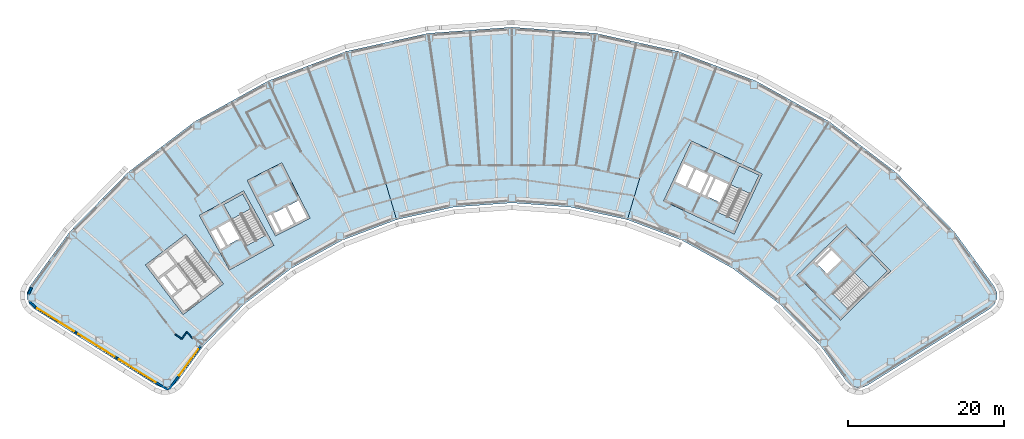
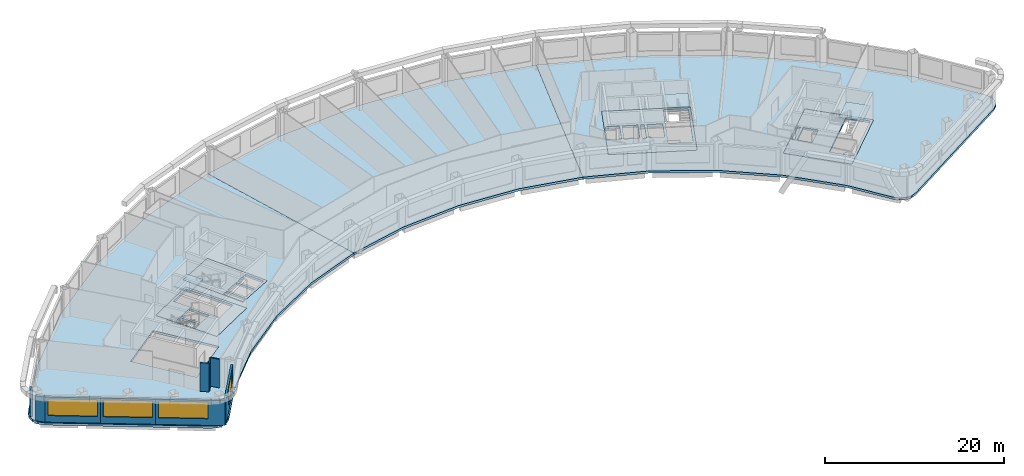
# One storey, part 4 of 14: 10 slabs, 9 walls, 4 windows, 4 openings, 3 elements without a shape of their own.
"""IFC4 building model written with IfcOpenShell, lengths in metres."""

import ifcopenshell
import ifcopenshell.guid

model = None  # the IFC model being written
_history = None  # IfcOwnerHistory: only IFC2X3 demands one
_inside = {}  # id of a spatial element -> (the spatial element, [elements in it])
_under = {}  # id of a project, library or spatial element -> (it, [spatial elements below it])
_declared = {}  # id of a project -> (the project, [libraries it declares])
_typed = {}  # id of a type object -> (the type object, [elements of that type])
_made_of = {}  # id of a material, layer set ... -> (it, [elements and type objects made of it])


def new_model(schema):
    """Start an empty IFC model of exactly this schema.

    Asked for "IFC4X3", IfcOpenShell would pick the latest addendum, in which some entities
    have other attributes; the version numbers below select the first issue.
    IFC2X3 requires an IfcOwnerHistory on every rooted entity: one is made here for all.
    """
    global model, _history
    if schema == "IFC4X3":
        model = ifcopenshell.file(schema_version=(4, 3, 0, 0))
    else:
        model = ifcopenshell.file(schema=schema)
    _inside.clear()
    _under.clear()
    _declared.clear()
    _typed.clear()
    _made_of.clear()
    _history = None
    if model.schema == "IFC2X3":
        org = make("IfcOrganization", Name="unknown")
        user = make(
            "IfcPersonAndOrganization",
            ThePerson=make("IfcPerson", FamilyName="unknown"),
            TheOrganization=org,
        )
        app = make(
            "IfcApplication",
            ApplicationDeveloper=org,
            Version="unknown",
            ApplicationFullName="unknown",
            ApplicationIdentifier="unknown",
        )
        _history = make(
            "IfcOwnerHistory",
            OwningUser=user,
            OwningApplication=app,
            ChangeAction="ADDED",
            CreationDate=0,
        )
    return model


def make(cls, **values):
    """One entity of the class cls with the attributes given. An attribute that is None is left unset."""
    return model.create_entity(
        cls, **{name: value for name, value in values.items() if value is not None}
    )


def rooted(cls, **values):
    """An entity with a GlobalId (a new one), such as an element, a storey or a relation."""
    return make(cls, GlobalId=ifcopenshell.guid.new(), OwnerHistory=_history, **values)


def si_unit(unit_type, name, prefix=None):
    """IfcSIUnit, for example si_unit("LENGTHUNIT", "METRE", prefix="MILLI")."""
    return make("IfcSIUnit", UnitType=unit_type, Prefix=prefix, Name=name)


def assignment(units):
    """IfcUnitAssignment: the units of a project."""
    return None if units is None else make("IfcUnitAssignment", Units=units)


def point(xyz):
    """IfcCartesianPoint."""
    return None if xyz is None else make("IfcCartesianPoint", Coordinates=xyz)


def direction(xyz):
    """IfcDirection."""
    return None if xyz is None else make("IfcDirection", DirectionRatios=xyz)


def frame(location, z_axis=None, x_axis=None):
    """IfcAxis2Placement3D, a coordinate frame: its origin and axes. An axis left out is left unset."""
    return make(
        "IfcAxis2Placement3D",
        Location=point(location),
        Axis=direction(z_axis),
        RefDirection=direction(x_axis),
    )


def frame_2d(location, x_axis=None):
    """IfcAxis2Placement2D, a coordinate frame in the plane: its origin and x axis."""
    return make(
        "IfcAxis2Placement2D", Location=point(location), RefDirection=direction(x_axis)
    )


def origin():
    """The frame at (0, 0, 0) with its axes left unset."""
    return frame((0.0, 0.0, 0.0))


def place(relative_to, where):
    """IfcLocalPlacement: puts the frame where relative to a parent placement (None: the world)."""
    return make(
        "IfcLocalPlacement", PlacementRelTo=relative_to, RelativePlacement=where
    )


def context(
    kind, dimensions, precision=None, world=None, true_north=None, identifier=None
):
    """IfcGeometricRepresentationContext, for example the 3D "Model" context."""
    return make(
        "IfcGeometricRepresentationContext",
        ContextIdentifier=identifier,
        ContextType=kind,
        CoordinateSpaceDimension=dimensions,
        Precision=precision,
        WorldCoordinateSystem=world,
        TrueNorth=true_north,
    )


def subcontext(parent, identifier, kind, view, scale=None):
    """IfcGeometricRepresentationSubContext, for example "Body" below "Model"."""
    return make(
        "IfcGeometricRepresentationSubContext",
        ContextIdentifier=identifier,
        ContextType=kind,
        ParentContext=parent,
        TargetScale=scale,
        TargetView=view,
    )


def project(units=None, contexts=None):
    """IfcProject with its units and contexts."""
    return rooted(
        "IfcProject",
        Name="project",
        RepresentationContexts=contexts,
        UnitsInContext=assignment(units),
    )


def spatial(cls, under=None, at=None, **own):
    """A site, building, storey or space (cls), placed at a placement, below another one or the project."""
    s = rooted(cls, ObjectPlacement=at, **own)
    if under is not None:
        _under.setdefault(under.id(), (under, []))[1].append(s)
    return s


def polyline(points):
    """IfcPolyline through the points."""
    return make("IfcPolyline", Points=[point(p) for p in points])


def profile(cls, at=None, kind="AREA", **sizes):
    """A parametric profile (cls). Its sizes go by their IFC names, for example OverallWidth=200.0."""
    return make(cls, ProfileType=kind, Position=at, **sizes)


def rectangle(**sizes):
    """IfcRectangleProfileDef."""
    return profile("IfcRectangleProfileDef", **sizes)


def outline(outer, holes=None, kind="AREA"):
    """IfcArbitraryClosedProfileDef: a profile drawn as a closed curve; with holes, ...WithVoids."""
    if holes is None:
        return make("IfcArbitraryClosedProfileDef", ProfileType=kind, OuterCurve=outer)
    return make(
        "IfcArbitraryProfileDefWithVoids",
        ProfileType=kind,
        OuterCurve=outer,
        InnerCurves=holes,
    )


def extrude(swept, where, along, depth):
    """IfcExtrudedAreaSolid: the profile swept, set in the frame where, extruded along a direction by depth."""
    return make(
        "IfcExtrudedAreaSolid",
        SweptArea=swept,
        Position=where,
        ExtrudedDirection=direction(along),
        Depth=depth,
    )


def shape(context_of_items, identifier, shape_type, items):
    """IfcShapeRepresentation: the items that make up one representation, for example the "Body"."""
    return make(
        "IfcShapeRepresentation",
        ContextOfItems=context_of_items,
        RepresentationIdentifier=identifier,
        RepresentationType=shape_type,
        Items=items,
    )


def material(Name=None, Category=None):
    """IfcMaterial."""
    return make("IfcMaterial", Name=Name, Category=Category)


def layer(
    of_material, thickness, ventilated=None, Name=None, Category=None, Priority=None
):
    """IfcMaterialLayer: one layer of a wall or slab, of a material (None: an air gap)."""
    return make(
        "IfcMaterialLayer",
        Material=of_material,
        LayerThickness=thickness,
        IsVentilated=ventilated,
        Name=Name,
        Category=Category,
        Priority=Priority,
    )


def layer_set(layers, Name=None):
    """IfcMaterialLayerSet."""
    return make("IfcMaterialLayerSet", MaterialLayers=layers, LayerSetName=Name)


def made_of(thing, what):
    """Note that an element or type object is made of a material, layer set ...; save() writes the relation."""
    if what is not None:
        _made_of.setdefault(what.id(), (what, []))[1].append(thing)
    return thing


def type_object(cls, material=None, **own):
    """A type object (cls), such as IfcWallType, which elements share."""
    return made_of(rooted(cls, **own), material)


def element(
    cls,
    number,
    at=None,
    inside=None,
    cuts=None,
    type_object=None,
    material=None,
    context=None,
    identifier="Body",
    shape_type=None,
    held_by="IfcProductDefinitionShape",
    body=None,
    shapes=None,
    **own,
):
    """One element of the class cls, such as IfcWall. Its Tag is "e" and its number.

    at: its placement. inside: the storey or other place that contains it. cuts: it is an
    opening in that element (IfcRelVoidsElement). A single representation is given by context,
    identifier, shape_type and body (its items); several are given by shapes. held_by: the class
    of the entity that holds the representations. save() writes the other relations.
    """
    e = rooted(cls, Tag="e%d" % number, ObjectPlacement=at, **own)
    if body is not None:
        shapes = [shape(context, identifier, shape_type, body)]
    if shapes is not None:
        e.Representation = make(held_by, Representations=shapes)
    if inside is not None:
        _inside.setdefault(inside.id(), (inside, []))[1].append(e)
    if cuts is not None:
        rooted(
            "IfcRelVoidsElement", RelatingBuildingElement=cuts, RelatedOpeningElement=e
        )
    if type_object is not None:
        _typed.setdefault(type_object.id(), (type_object, []))[1].append(e)
    return made_of(e, material)


def fill(opening, filler):
    """IfcRelFillsElement: the door or window that sits in an opening."""
    return rooted(
        "IfcRelFillsElement",
        RelatingOpeningElement=opening,
        RelatedBuildingElement=filler,
    )


def aggregate(whole, parts):
    """IfcRelAggregates: a whole, such as a stair, and the parts it consists of."""
    return rooted("IfcRelAggregates", RelatingObject=whole, RelatedObjects=parts)


def save(model, path):
    """Write the relations noted so far, then the file.

    IfcRelAggregates (storeys below a building ...), IfcRelContainedInSpatialStructure (elements
    in a storey), IfcRelDefinesByType, IfcRelAssociatesMaterial and IfcRelDeclares: one each for
    every whole, place, type object, material and project.
    """
    for whole, parts in _under.values():
        aggregate(whole, parts)
    for where, things in _inside.values():
        rooted(
            "IfcRelContainedInSpatialStructure",
            RelatedElements=things,
            RelatingStructure=where,
        )
    for kind, things in _typed.values():
        rooted("IfcRelDefinesByType", RelatedObjects=things, RelatingType=kind)
    for what, things in _made_of.values():
        rooted("IfcRelAssociatesMaterial", RelatedObjects=things, RelatingMaterial=what)
    for by, libraries in _declared.values():
        rooted("IfcRelDeclares", RelatingContext=by, RelatedDefinitions=libraries)
    model.write(path)


model = new_model("IFC4")

# Units and contexts
model_context = context("Model", 3, precision=1e-05, world=origin(), true_north=direction((0.0, 1.0)))
body_context = subcontext(model_context, "Body", "Model", "MODEL_VIEW")
ifc_project = project(units=[si_unit("LENGTHUNIT", "METRE"), si_unit("AREAUNIT", "SQUARE_METRE"), si_unit("VOLUMEUNIT", "CUBIC_METRE"), si_unit("PLANEANGLEUNIT", "RADIAN"), si_unit("MASSUNIT", "GRAM", prefix="KILO")], contexts=[model_context])

# Site, building, storey
site_placement = place(None, origin())
site = spatial("IfcSite", under=ifc_project, at=site_placement, CompositionType="ELEMENT")
building_placement = place(site_placement, origin())
building = spatial("IfcBuilding", under=site, at=building_placement, Name="Tuul Gate Civic Tower", CompositionType="ELEMENT")
storey_placement = place(building_placement, frame((0.0, 0.0, 213.699951171875)))
storey = spatial("IfcBuildingStorey", under=building, at=storey_placement, Name="Level 48", CompositionType="ELEMENT", Elevation=213.699951171875)

# Slabs
ifc_material_1 = material(Name="Concrete C40/50", Category="concrete")
ifc_layer_1 = layer(ifc_material_1, 0.300048828125)
ifc_layer_set_1 = layer_set([ifc_layer_1], Name="Concrete C40/50")
slab_type_1 = type_object("IfcSlabType", Name="Core floor slab 300", PredefinedType="FLOOR", material=ifc_layer_set_1)
slab_1_placement = place(storey_placement, frame((0.0, 0.0, -0.300048828125)))
element("IfcSlab", 1, at=slab_1_placement, inside=storey, type_object=slab_type_1, Name="FLOOR SLAB", PredefinedType="FLOOR", context=body_context, shape_type="SweptSolid", body=[
    extrude(outline(polyline([(-24.638916015625, -8.846923828125), (-28.51708984375, -1.849853515625), (-34.2021484375, -5.0009765625), (-30.32421875, -11.998046875), (-24.638916015625, -8.846923828125)]), holes=[polyline([(-29.0185546875, -7.958740234375), (-30.254638671875, -5.728515625), (-31.785400390625, -6.576904296875), (-30.54931640625, -8.80712890625), (-29.0185546875, -7.958740234375)]), polyline([(-30.8115234375, -8.95263671875), (-32.047607421875, -6.72216796875), (-32.8349609375, -7.158447265625), (-31.5986328125, -9.388916015625), (-30.8115234375, -8.95263671875)]), polyline([(-25.702392578125, -7.548828125), (-28.14990234375, -8.905517578125), (-31.08203125, -3.615234375), (-28.63427734375, -2.2587890625), (-25.702392578125, -7.548828125)])]), origin(), (0.0, 0.0, 1.0), 0.300048828125),
])
slab_2_placement = place(storey_placement, frame((0.0, 0.0, -0.300048828125)))
element("IfcSlab", 2, at=slab_2_placement, inside=storey, type_object=slab_type_1, Name="FLOOR SLAB", PredefinedType="FLOOR", context=body_context, shape_type="SweptSolid", body=[
    extrude(outline(polyline([(48.117919921875, -18.43310546875), (54.545166015625, -12.1328125), (48.945068359375, -6.419921875), (42.517822265625, -12.719970703125), (48.117919921875, -18.43310546875)]), holes=[polyline([(46.373779296875, -12.510986328125), (48.19482421875, -10.725830078125), (46.969970703125, -9.47607421875), (45.14892578125, -11.26123046875), (46.373779296875, -12.510986328125)]), polyline([(44.93896484375, -11.046875), (46.760009765625, -9.261962890625), (46.514892578125, -9.011962890625), (44.69384765625, -10.797119140625), (44.93896484375, -11.046875)]), polyline([(49.086181640625, -17.062744140625), (47.12744140625, -15.064208984375), (52.160888671875, -10.130126953125), (54.11962890625, -12.128662109375), (49.086181640625, -17.062744140625)])]), origin(), (0.0, 0.0, 1.0), 0.300048828125),
])
slab_3_placement = place(storey_placement, frame((0.0, 0.0, -0.300048828125)))
element("IfcSlab", 3, at=slab_3_placement, inside=storey, type_object=slab_type_1, Name="FLOOR SLAB", PredefinedType="FLOOR", context=body_context, shape_type="SweptSolid", body=[
    extrude(outline(polyline([(34.465087890625, -7.385986328125), (38.056884765625, 0.31787109375), (28.993896484375, 4.543701171875), (25.40185546875, -3.159912109375), (34.465087890625, -7.385986328125)]), holes=[polyline([(32.60888671875, -3.32080078125), (33.6865234375, -1.009765625), (32.1005859375, -0.27001953125), (31.02294921875, -2.581298828125), (32.60888671875, -3.32080078125)]), polyline([(30.0712890625, -2.137451171875), (31.14892578125, 0.173583984375), (29.562744140625, 0.9130859375), (28.4853515625, -1.39794921875), (30.0712890625, -2.137451171875)]), polyline([(30.751220703125, -2.454345703125), (31.82861328125, -0.143310546875), (31.4208984375, 0.046875), (30.34326171875, -2.264404296875), (30.751220703125, -2.454345703125)]), polyline([(28.21337890625, -1.27099609375), (29.291015625, 1.0400390625), (27.8408203125, 1.71630859375), (26.76318359375, -0.594970703125), (28.21337890625, -1.27099609375)]), polyline([(34.889892578125, -5.7626953125), (32.353759765625, -4.580078125), (35.120849609375, 1.354736328125), (37.6572265625, 0.17236328125), (34.889892578125, -5.7626953125)])]), origin(), (0.0, 0.0, 1.0), 0.300048828125),
])
ifc_material_2 = material(Name="Concrete C40/50", Category="concrete")
ifc_layer_2 = layer(ifc_material_2, 0.300048828125)
ifc_layer_set_2 = layer_set([ifc_layer_2], Name="Concrete C40/50")
slab_type_2 = type_object("IfcSlabType", Name="Core floor slab 300 non-bearing", PredefinedType="FLOOR", material=ifc_layer_set_2)
slab_4_placement = place(storey_placement, frame((0.0, 0.0, -0.300048828125)))
element("IfcSlab", 4, at=slab_4_placement, inside=storey, type_object=slab_type_2, Name="FLOOR SLAB", PredefinedType="FLOOR", context=body_context, shape_type="SweptSolid", body=[
    extrude(outline(polyline([(-19.98095703125, -5.365966796875), (-23.613037109375, 1.761962890625), (-28.068115234375, -0.508056640625), (-24.43603515625, -7.635986328125), (-19.98095703125, -5.365966796875)]), holes=[polyline([(-20.384521484375, -5.23486328125), (-21.47412109375, -3.096435546875), (-22.899658203125, -3.822998046875), (-21.81005859375, -5.961181640625), (-20.384521484375, -5.23486328125)]), polyline([(-22.077392578125, -6.097412109375), (-23.1669921875, -3.958984375), (-24.726318359375, -4.753662109375), (-23.63671875, -6.89208984375), (-22.077392578125, -6.097412109375)]), polyline([(-23.8359375, -7.161865234375), (-24.99365234375, -4.889892578125), (-25.5283203125, -5.162109375), (-24.37060546875, -7.434326171875), (-23.8359375, -7.161865234375)])]), origin(), (0.0, 0.0, 1.0), 0.300048828125),
])

# Stair, slab
ifc_material_3 = material(Name="Concrete C40/50", Category="concrete")
stair_type = type_object("IfcStairType", Name="Exit stair", PredefinedType="HALF_TURN_STAIR", material=ifc_material_3)
stair_1_placement = place(storey_placement, origin())
stair_1 = element("IfcStair", 5, at=stair_1_placement, inside=storey, type_object=stair_type, Name="Level 48 ST-2", PredefinedType="HALF_TURN_STAIR")
ifc_material_4 = material(Name="Concrete C40/50", Category="concrete")
ifc_layer_3 = layer(ifc_material_4, 0.199951171875)
ifc_layer_set_3 = layer_set([ifc_layer_3], Name="Concrete C40/50")
slab_type_3 = type_object("IfcSlabType", Name="Exit stair landing", PredefinedType="LANDING", material=ifc_layer_set_3)
slab_5_placement = place(storey_placement, frame((0.0, 0.0, 1.900146484375)))
slab_5 = element("IfcSlab", 6, at=slab_5_placement, type_object=slab_type_3, Name="ST-2 landing 1", PredefinedType="LANDING", context=body_context, shape_type="SweptSolid", body=[
    extrude(outline(polyline([(-27.5908203125, -4.138427734375), (-30.041015625, -5.49658203125), (-31.084228515625, -3.61474609375), (-28.6337890625, -2.256591796875), (-27.5908203125, -4.138427734375)])), origin(), (0.0, 0.0, 1.0), 0.199951171875),
])
aggregate(stair_1, [slab_5])

stair_2_placement = place(storey_placement, origin())
stair_2 = element("IfcStair", 7, at=stair_2_placement, inside=storey, type_object=stair_type, Name="Level 48 ST-3", PredefinedType="HALF_TURN_STAIR")
slab_6_placement = place(storey_placement, frame((0.0, 0.0, 1.900146484375)))
slab_6 = element("IfcSlab", 8, at=slab_6_placement, type_object=slab_type_3, Name="ST-3 landing 1", PredefinedType="LANDING", context=body_context, shape_type="SweptSolid", body=[
    extrude(outline(polyline([(51.871337890625, -14.3349609375), (49.91015625, -12.334228515625), (52.160888671875, -10.1279296875), (54.1220703125, -12.128662109375), (51.871337890625, -14.3349609375)])), origin(), (0.0, 0.0, 1.0), 0.199951171875),
])
aggregate(stair_2, [slab_6])

stair_3_placement = place(storey_placement, origin())
stair_3 = element("IfcStair", 9, at=stair_3_placement, inside=storey, type_object=stair_type, Name="Level 48 ST-4", PredefinedType="HALF_TURN_STAIR")
slab_7_placement = place(storey_placement, frame((0.0, 0.0, 1.900146484375)))
slab_7 = element("IfcSlab", 10, at=slab_7_placement, type_object=slab_type_3, Name="ST-4 landing 1", PredefinedType="LANDING", context=body_context, shape_type="SweptSolid", body=[
    extrude(outline(polyline([(36.538818359375, -2.230224609375), (33.999755859375, -1.046142578125), (35.1201171875, 1.35693359375), (37.659423828125, 0.173095703125), (36.538818359375, -2.230224609375)])), origin(), (0.0, 0.0, 1.0), 0.199951171875),
])
aggregate(stair_3, [slab_7])

# Slabs
ifc_material_5 = material(Name="Concrete C35/45", Category="concrete")
ifc_layer_4 = layer(ifc_material_5, 0.300048828125)
ifc_layer_set_4 = layer_set([ifc_layer_4], Name="Concrete C35/45")
slab_type_4 = type_object("IfcSlabType", Name="STR-FLOOR-SLAB-300", PredefinedType="FLOOR", material=ifc_layer_set_4)
slab_8_placement = place(storey_placement, frame((0.0, 0.0, -0.300048828125)))
element("IfcSlab", 11, at=slab_8_placement, inside=storey, type_object=slab_type_4, Name="Level 48/slab/W", PredefinedType="FLOOR", context=body_context, shape_type="SweptSolid", body=[
    extrude(outline(polyline([(-15.89404296875, -8.2041015625), (-8.875, -5.549072265625), (-15.30908203125, 16.072998046875), (-25.376953125, 12.264892578125), (-34.7919921875, 7.0458984375), (-43.35595703125, 0.52587890625), (-50.89111328125, -7.160888671875), (-55.971923828125, -14.117919921875), (-56.30810546875, -14.861083984375), (-56.320068359375, -15.677001953125), (-56.006103515625, -16.428955078125), (-55.416015625, -16.992919921875), (-39.68603515625, -26.822998046875), (-38.991943359375, -27.093017578125), (-38.2470703125, -27.090087890625), (-37.554931640625, -26.81494140625), (-37.011962890625, -26.305908203125), (-33.681884765625, -21.748046875), (-28.428955078125, -16.388916015625), (-22.4580078125, -11.842041015625), (-15.89404296875, -8.2041015625)]), holes=[polyline([(-31.10009765625, -13.7890625), (-36.27197265625, -17.72705078125), (-41.117919921875, -11.362060546875), (-35.946044921875, -7.424072265625), (-31.10009765625, -13.7890625)]), polyline([(-24.638916015625, -8.846923828125), (-30.323974609375, -11.998046875), (-34.201904296875, -5.0009765625), (-28.51708984375, -1.85009765625), (-24.638916015625, -8.846923828125)]), polyline([(-24.43603515625, -7.635986328125), (-28.068115234375, -0.508056640625), (-23.613037109375, 1.761962890625), (-19.98095703125, -5.365966796875), (-24.43603515625, -7.635986328125)])]), origin(), (0.0, 0.0, 1.0), 0.300048828125),
])
slab_9_placement = place(storey_placement, frame((0.0, 0.0, -0.300048828125)))
element("IfcSlab", 12, at=slab_9_placement, inside=storey, type_object=slab_type_4, Name="Level 48/slab/M", PredefinedType="FLOOR", context=body_context, shape_type="SweptSolid", body=[
    extrude(outline(polyline([(13.425048828125, -3.93408203125), (20.75390625, -5.549072265625), (27.18798828125, 16.072998046875), (16.676025390625, 18.388916015625), (5.93994140625, 19.1669921875), (-4.7958984375, 18.388916015625), (-15.30810546875, 16.072998046875), (-15.30908203125, 16.072998046875), (-8.875, -5.549072265625), (-8.8740234375, -5.549072265625), (-1.544921875, -3.93408203125), (5.93994140625, -3.39208984375), (13.425048828125, -3.93408203125)])), origin(), (0.0, 0.0, 1.0), 0.300048828125),
])
slab_10_placement = place(storey_placement, frame((0.0, 0.0, -0.300048828125)))
element("IfcSlab", 13, at=slab_10_placement, inside=storey, type_object=slab_type_4, Name="Level 48/slab/E", PredefinedType="FLOOR", context=body_context, shape_type="SweptSolid", body=[
    extrude(outline(polyline([(50.8720703125, -27.093017578125), (51.56591796875, -26.822998046875), (67.2958984375, -16.992919921875), (67.885009765625, -16.428955078125), (68.199951171875, -15.677001953125), (68.18798828125, -14.861083984375), (67.85107421875, -14.117919921875), (62.77099609375, -7.160888671875), (55.235107421875, 0.52587890625), (46.6708984375, 7.0458984375), (37.256103515625, 12.264892578125), (27.18798828125, 16.072998046875), (20.75390625, -5.549072265625), (27.77294921875, -8.2041015625), (34.3369140625, -11.842041015625), (40.30810546875, -16.388916015625), (45.56201171875, -21.748046875), (48.89111328125, -26.305908203125), (49.43505859375, -26.81494140625), (50.126953125, -27.090087890625), (50.8720703125, -27.093017578125)]), holes=[polyline([(48.117919921875, -18.43310546875), (42.51806640625, -12.719970703125), (48.945068359375, -6.419921875), (54.544921875, -12.133056640625), (48.117919921875, -18.43310546875)]), polyline([(25.402099609375, -3.159912109375), (28.993896484375, 4.5439453125), (38.056884765625, 0.318115234375), (34.465087890625, -7.385986328125), (25.402099609375, -3.159912109375)])]), origin(), (0.0, 0.0, 1.0), 0.300048828125),
])

# Walls
ifc_material_6 = material(Name="Gypsum board partition")
ifc_layer_5 = layer(ifc_material_6, 0.14990234375)
ifc_layer_set_5 = layer_set([ifc_layer_5], Name="Gypsum board partition")
wall_type_1 = type_object("IfcWallType", Name="Corridor wall P150", PredefinedType="PARTITIONING", material=ifc_layer_set_5)
wall_1_placement = place(storey_placement, frame((-37.298583984375, -20.258056640625, 0.0), z_axis=(0.0, 0.0, 1.0), x_axis=(0.810760462346, -0.58537805963, 0.0)))
element("IfcWall", 14, at=wall_1_placement, inside=storey, type_object=wall_type_1, Name="p059", PredefinedType="PARTITIONING", context=body_context, shape_type="SweptSolid", body=[
    extrude(rectangle(XDim=1.030029296875, YDim=0.14990234375, at=frame_2d((0.51513671875, 0.0))), origin(), (0.0, 0.0, 1.0), 3.900146484375),
])
for number, where, z_axis, x_axis, name in (
    (15, (-36.46337890625, -20.861083984375, 0.0), (0.0, 0.0, 1.0), (0.585304147388, 0.810813822681, 0.0), "p060"),
    (16, (-35.788330078125, -19.9677734375, 0.0), (0.0, 0.0, 1.0), (0.661438090784, -0.74999976804, 0.0), "p061"),
):
    element("IfcWall", number, at=place(storey_placement, frame(where, z_axis=z_axis, x_axis=x_axis)), inside=storey, type_object=wall_type_1, Name=name, PredefinedType="PARTITIONING", context=body_context, shape_type="SweptSolid", body=[
        extrude(rectangle(XDim=1.099853515625, YDim=0.14990234375, at=frame_2d((0.5498046875, 0.0))), origin(), (0.0, 0.0, 1.0), 3.900146484375),
    ])
ifc_material_7 = material(Name="Precast concrete C40/50", Category="concrete")
ifc_layer_6 = layer(ifc_material_7, 0.25)
ifc_layer_set_6 = layer_set([ifc_layer_6], Name="Precast concrete C40/50")
wall_type_2 = type_object("IfcWallType", Name="External wall", PredefinedType="STANDARD", material=ifc_layer_set_6)
wall_2_placement = place(storey_placement, frame((-55.737060546875, -14.257568359375, 0.0), z_axis=(0.0, 0.0, 1.0), x_axis=(-0.411921142617, -0.911219497303, 0.0)))
element("IfcWall", 17, at=wall_2_placement, inside=storey, type_object=wall_type_2, Name="External wall", PredefinedType="STANDARD", context=body_context, shape_type="SweptSolid", body=[
    extrude(rectangle(XDim=0.938720703125, YDim=0.25, at=frame_2d((0.46923828125, 0.0))), origin(), (0.0, 0.0, 1.0), 3.449951171875),
])
wall_3_placement = place(storey_placement, frame((-56.046875, -16.012939453125, 0.0), z_axis=(0.0, 0.0, 1.0), x_axis=(0.722218585129, -0.691664886555, 0.0)))
element("IfcWall", 18, at=wall_3_placement, inside=storey, type_object=wall_type_2, Name="External wall", PredefinedType="STANDARD", context=body_context, shape_type="SweptSolid", body=[
    extrude(rectangle(XDim=1.102783203125, YDim=0.25, at=frame_2d((0.55126953125, 0.0))), origin(), (0.0, 0.0, 1.0), 3.449951171875),
])

# Wall, opening, window
wall_4_placement = place(storey_placement, frame((-55.270751953125, -16.760009765625, 0.0), z_axis=(0.0, 0.0, 1.0), x_axis=(0.848053758074, -0.529910203164, 0.0)))
wall_4 = element("IfcWall", 19, at=wall_4_placement, inside=storey, type_object=wall_type_2, Name="External wall", PredefinedType="STANDARD", context=body_context, shape_type="SweptSolid", body=[
    extrude(rectangle(XDim=6.182861328125, YDim=0.25, at=frame_2d((3.09130859375, 0.0))), origin(), (0.0, 0.0, 1.0), 3.449951171875),
])
opening_1_placement = place(wall_4_placement, frame((0.31640625, 0.0, 0.89990234375)))
opening_1 = element("IfcOpeningElement", 20, at=opening_1_placement, cuts=wall_4, Name="Opening W24", PredefinedType="OPENING", context=body_context, shape_type="SweptSolid", body=[
    extrude(rectangle(XDim=5.550048828125, YDim=2.300048828125, at=frame_2d((2.77490234375, 1.14990234375))), frame((0.0, 0.135009765625, 0.0), z_axis=(0.0, -1.0, 0.0), x_axis=(1.0, 0.0, 0.0)), (0.0, 0.0, 1.0), 0.27001953125),
])
ifc_material_8 = material(Name="Glass", Category="glass")
window_type_1 = type_object("IfcWindowType", Name="Window W24 5550 x 2300", PartitioningType="SINGLE_PANEL", PredefinedType="WINDOW", material=ifc_material_8)
window_1_placement = place(opening_1_placement, origin())
window_1 = element("IfcWindow", 21, at=window_1_placement, inside=storey, type_object=window_type_1, Name="Window", OverallHeight=2.300048828125, OverallWidth=5.550048828125, PartitioningType="SINGLE_PANEL", PredefinedType="WINDOW", context=body_context, shape_type="SweptSolid", body=[
    extrude(rectangle(XDim=5.550048828125, YDim=2.300048828125, at=frame_2d((2.77490234375, 1.14990234375))), frame((0.0, 0.030029296875, 0.0), z_axis=(0.0, -1.0, 0.0), x_axis=(1.0, 0.0, 0.0)), (0.0, 0.0, 1.0), 0.06005859375),
])
fill(opening_1, window_1)

wall_5_placement = place(storey_placement, frame((-50.02734375, -20.036376953125, 0.0), z_axis=(0.0, 0.0, 1.0), x_axis=(0.848042669488, -0.529927948619, 0.0)))
wall_5 = element("IfcWall", 22, at=wall_5_placement, inside=storey, type_object=wall_type_2, Name="External wall", PredefinedType="STANDARD", context=body_context, shape_type="SweptSolid", body=[
    extrude(rectangle(XDim=6.1826171875, YDim=0.25, at=frame_2d((3.09130859375, 0.0))), origin(), (0.0, 0.0, 1.0), 3.449951171875),
])
opening_2_placement = place(wall_5_placement, frame((0.31640625, 0.0, 0.89990234375)))
opening_2 = element("IfcOpeningElement", 23, at=opening_2_placement, cuts=wall_5, Name="Opening W24", PredefinedType="OPENING", context=body_context, shape_type="SweptSolid", body=[
    extrude(rectangle(XDim=5.550048828125, YDim=2.300048828125, at=frame_2d((2.77490234375, 1.14990234375))), frame((0.0, 0.135009765625, 0.0), z_axis=(0.0, -1.0, 0.0), x_axis=(1.0, 0.0, 0.0)), (0.0, 0.0, 1.0), 0.27001953125),
])
window_2_placement = place(opening_2_placement, origin())
window_2 = element("IfcWindow", 24, at=window_2_placement, inside=storey, type_object=window_type_1, Name="Window", OverallHeight=2.300048828125, OverallWidth=5.550048828125, PartitioningType="SINGLE_PANEL", PredefinedType="WINDOW", context=body_context, shape_type="SweptSolid", body=[
    extrude(rectangle(XDim=5.550048828125, YDim=2.300048828125, at=frame_2d((2.77490234375, 1.14990234375))), frame((0.0, 0.030029296875, 0.0), z_axis=(0.0, -1.0, 0.0), x_axis=(1.0, 0.0, 0.0)), (0.0, 0.0, 1.0), 0.06005859375),
])
fill(opening_2, window_2)

wall_6_placement = place(storey_placement, frame((-44.7841796875, -23.312744140625, 0.0), z_axis=(0.0, 0.0, 1.0), x_axis=(0.848066986554, -0.529889032078, 0.0)))
wall_6 = element("IfcWall", 25, at=wall_6_placement, inside=storey, type_object=wall_type_2, Name="External wall", PredefinedType="STANDARD", context=body_context, shape_type="SweptSolid", body=[
    extrude(rectangle(XDim=7.787353515625, YDim=0.25, at=frame_2d((3.8935546875, 0.0))), origin(), (0.0, 0.0, 1.0), 3.449951171875),
])
opening_3_placement = place(wall_6_placement, frame((0.31640625, 0.0, 0.89990234375)))
opening_3 = element("IfcOpeningElement", 26, at=opening_3_placement, cuts=wall_6, Name="Opening W24", PredefinedType="OPENING", context=body_context, shape_type="SweptSolid", body=[
    extrude(rectangle(XDim=5.550048828125, YDim=2.300048828125, at=frame_2d((2.77490234375, 1.14990234375))), frame((0.0, 0.135009765625, 0.0), z_axis=(0.0, -1.0, 0.0), x_axis=(1.0, 0.0, 0.0)), (0.0, 0.0, 1.0), 0.27001953125),
])
window_3_placement = place(opening_3_placement, origin())
window_3 = element("IfcWindow", 27, at=window_3_placement, inside=storey, type_object=window_type_1, Name="Window", OverallHeight=2.300048828125, OverallWidth=5.550048828125, PartitioningType="SINGLE_PANEL", PredefinedType="WINDOW", context=body_context, shape_type="SweptSolid", body=[
    extrude(rectangle(XDim=5.550048828125, YDim=2.300048828125, at=frame_2d((2.77490234375, 1.14990234375))), frame((0.0, 0.030029296875, 0.0), z_axis=(0.0, -1.0, 0.0), x_axis=(1.0, 0.0, 0.0)), (0.0, 0.0, 1.0), 0.06005859375),
])
fill(opening_3, window_3)

wall_7_placement = place(storey_placement, frame((-38.179931640625, -27.439208984375, 0.0), z_axis=(0.0, 0.0, 1.0), x_axis=(0.589873478547, 0.80749568377, 0.0)))
wall_7 = element("IfcWall", 28, at=wall_7_placement, inside=storey, type_object=wall_type_2, Name="External wall", PredefinedType="STANDARD", context=body_context, shape_type="SweptSolid", body=[
    extrude(rectangle(XDim=6.972412109375, YDim=0.25, at=frame_2d((3.486328125, 0.0))), origin(), (0.0, 0.0, 1.0), 3.449951171875),
])
opening_4_placement = place(wall_7_placement, frame((2.356689453125, 0.0, 0.89990234375)))
opening_4 = element("IfcOpeningElement", 29, at=opening_4_placement, cuts=wall_7, Name="Opening W25", PredefinedType="OPENING", context=body_context, shape_type="SweptSolid", body=[
    extrude(rectangle(XDim=4.14990234375, YDim=2.300048828125, at=frame_2d((2.074951171875, 1.14990234375))), frame((0.0, 0.135009765625, 0.0), z_axis=(0.0, -1.0, 0.0), x_axis=(1.0, 0.0, 0.0)), (0.0, 0.0, 1.0), 0.27001953125),
])
ifc_material_9 = material(Name="Glass", Category="glass")
window_type_2 = type_object("IfcWindowType", Name="Window W25 4150 x 2300", PartitioningType="SINGLE_PANEL", PredefinedType="WINDOW", material=ifc_material_9)
window_4_placement = place(opening_4_placement, origin())
window_4 = element("IfcWindow", 30, at=window_4_placement, inside=storey, type_object=window_type_2, Name="Window", OverallHeight=2.300048828125, OverallWidth=4.14990234375, PartitioningType="SINGLE_PANEL", PredefinedType="WINDOW", context=body_context, shape_type="SweptSolid", body=[
    extrude(rectangle(XDim=4.14990234375, YDim=2.300048828125, at=frame_2d((2.074951171875, 1.14990234375))), frame((0.0, 0.030029296875, 0.0), z_axis=(0.0, -1.0, 0.0), x_axis=(1.0, 0.0, 0.0)), (0.0, 0.0, 1.0), 0.06005859375),
])
fill(opening_4, window_4)

save(model, "model.ifc")
